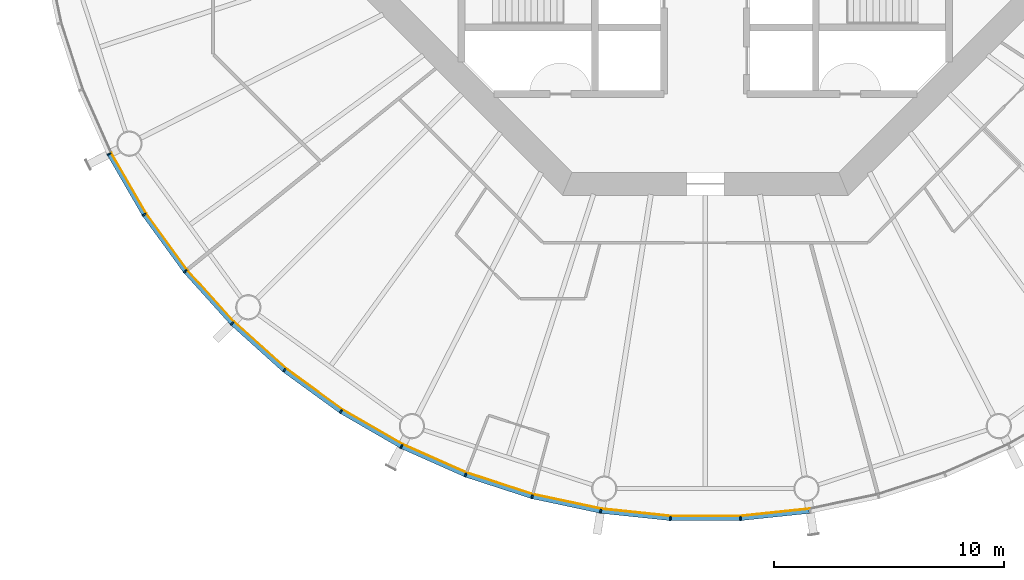
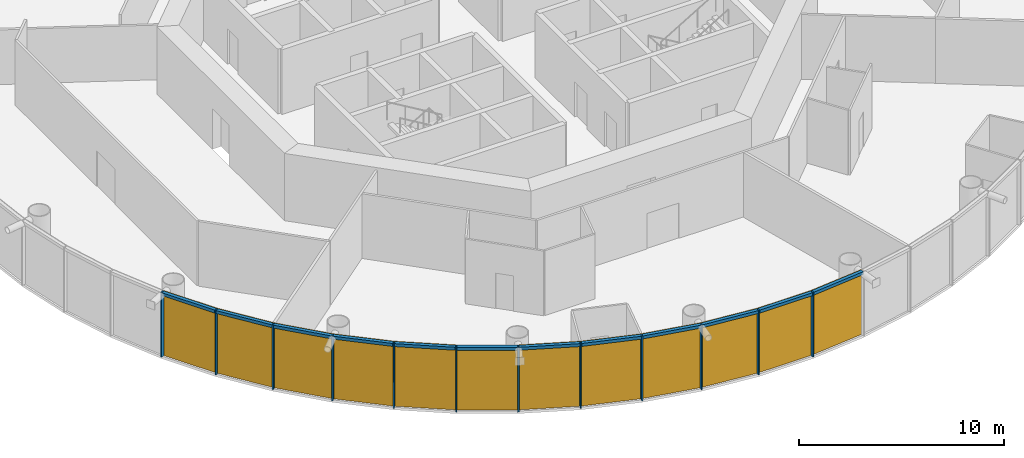
# One storey, part 11 of 17: 24 members, 4 curtain walls.
"""IFC4 building model written with IfcOpenShell, lengths in metres."""

from ifc_helpers import new_model, si_unit, direction, frame, origin, origin_2d, place, context, subcontext, project, spatial, polyline, rectangle, outline, extrude, material, layer, layer_set, material_profile, profile_set, type_object, element, aggregate, save


model = new_model("IFC4")

# Units and contexts
model_context = context("Model", 3, precision=1e-05, world=origin(), true_north=direction((0.0, 1.0)))
body_context = subcontext(model_context, "Body", "Model", "MODEL_VIEW")
ifc_project = project(units=[si_unit("LENGTHUNIT", "METRE"), si_unit("AREAUNIT", "SQUARE_METRE"), si_unit("VOLUMEUNIT", "CUBIC_METRE"), si_unit("PLANEANGLEUNIT", "RADIAN"), si_unit("MASSUNIT", "GRAM", prefix="KILO")], contexts=[model_context])

# Member
ifc_material_1 = material(Name="Anodised aluminium", Category="aluminium")
ifc_material_profile_1 = material_profile(ifc_material_1, rectangle(XDim=0.06494140625, YDim=0.18505859375, at=origin_2d()), Name="Mullion 65 x 185 mm anodised aluminium")
ifc_profile_set_1 = profile_set([ifc_material_profile_1], Name="Anodised aluminium")
member_type_1 = type_object("IfcMemberType", Name="Mullion 65 x 185 mm anodised aluminium", PredefinedType="MULLION", material=ifc_profile_set_1)
site_placement = place(None, origin())
building_placement = place(site_placement, origin())
storey_placement = place(building_placement, frame((0.0, 0.0, 176.0)))
member_1_placement = place(storey_placement, frame((64.078369140625, 66.792236328125, 0.0), z_axis=(0.0, 0.0, 1.0), x_axis=(0.45399049974, -0.891006524188, 0.0)))
member_1 = element("IfcMember", 1, at=member_1_placement, type_object=member_type_1, Name="MULLION L40-33", PredefinedType="MULLION", context=body_context, shape_type="SweptSolid", body=[
    extrude(rectangle(XDim=0.06494140625, YDim=0.18505859375, at=origin_2d()), origin(), (0.0, 0.0, 1.0), 3.85009765625),
])

member_2_placement = place(storey_placement, frame((65.60107421875, 64.155029296875, 0.0), z_axis=(0.0, 0.0, 1.0), x_axis=(0.544639035015, -0.838670567945, 0.0)))
member_2 = element("IfcMember", 2, at=member_2_placement, type_object=member_type_1, Name="MULLION L40-34", PredefinedType="MULLION", context=body_context, shape_type="SweptSolid", body=[
    extrude(rectangle(XDim=0.06494140625, YDim=0.18505859375, at=origin_2d()), origin(), (0.0, 0.0, 1.0), 3.85009765625),
])

member_3_placement = place(storey_placement, frame((67.390869140625, 61.69140625, 0.0), z_axis=(0.0, 0.0, 1.0), x_axis=(0.62932039105, -0.777145961457, 0.0)))
member_3 = element("IfcMember", 3, at=member_3_placement, type_object=member_type_1, Name="MULLION L40-35", PredefinedType="MULLION", context=body_context, shape_type="SweptSolid", body=[
    extrude(rectangle(XDim=0.06494140625, YDim=0.18505859375, at=origin_2d()), origin(), (0.0, 0.0, 1.0), 3.85009765625),
])

member_4_placement = place(storey_placement, frame((69.428466796875, 59.428466796875, 0.0), z_axis=(0.0, 0.0, 1.0), x_axis=(0.707106781187, -0.707106781187, 0.0)))
member_4 = element("IfcMember", 4, at=member_4_placement, type_object=member_type_1, Name="MULLION L40-36", PredefinedType="MULLION", context=body_context, shape_type="SweptSolid", body=[
    extrude(rectangle(XDim=0.06494140625, YDim=0.18505859375, at=origin_2d()), origin(), (0.0, 0.0, 1.0), 3.85009765625),
])

member_5_placement = place(storey_placement, frame((71.69140625, 57.390869140625, 0.0), z_axis=(0.0, 0.0, 1.0), x_axis=(0.777145961457, -0.62932039105, 0.0)))
member_5 = element("IfcMember", 5, at=member_5_placement, type_object=member_type_1, Name="MULLION L40-37", PredefinedType="MULLION", context=body_context, shape_type="SweptSolid", body=[
    extrude(rectangle(XDim=0.06494140625, YDim=0.18505859375, at=origin_2d()), origin(), (0.0, 0.0, 1.0), 3.85009765625),
])

member_6_placement = place(storey_placement, frame((74.155029296875, 55.60107421875, 0.0), z_axis=(0.0, 0.0, 1.0), x_axis=(0.838670567945, -0.544639035015, 0.0)))
member_6 = element("IfcMember", 6, at=member_6_placement, type_object=member_type_1, Name="MULLION L40-38", PredefinedType="MULLION", context=body_context, shape_type="SweptSolid", body=[
    extrude(rectangle(XDim=0.06494140625, YDim=0.18505859375, at=origin_2d()), origin(), (0.0, 0.0, 1.0), 3.85009765625),
])

member_7_placement = place(storey_placement, frame((76.792236328125, 54.078369140625, 0.0), z_axis=(0.0, 0.0, 1.0), x_axis=(0.891006524188, -0.45399049974, 0.0)))
member_7 = element("IfcMember", 7, at=member_7_placement, type_object=member_type_1, Name="MULLION L40-39", PredefinedType="MULLION", context=body_context, shape_type="SweptSolid", body=[
    extrude(rectangle(XDim=0.06494140625, YDim=0.18505859375, at=origin_2d()), origin(), (0.0, 0.0, 1.0), 3.85009765625),
])

member_8_placement = place(storey_placement, frame((79.57421875, 52.83984375, 0.0), z_axis=(0.0, 0.0, 1.0), x_axis=(0.933580426497, -0.358367949545, 0.0)))
member_8 = element("IfcMember", 8, at=member_8_placement, type_object=member_type_1, Name="MULLION L40-40", PredefinedType="MULLION", context=body_context, shape_type="SweptSolid", body=[
    extrude(rectangle(XDim=0.06494140625, YDim=0.18505859375, at=origin_2d()), origin(), (0.0, 0.0, 1.0), 3.85009765625),
])

member_9_placement = place(storey_placement, frame((82.47021484375, 51.898681640625, 0.0), z_axis=(0.0, 0.0, 1.0), x_axis=(0.965925826289, -0.258819045103, 0.0)))
member_9 = element("IfcMember", 9, at=member_9_placement, type_object=member_type_1, Name="MULLION L40-41", PredefinedType="MULLION", context=body_context, shape_type="SweptSolid", body=[
    extrude(rectangle(XDim=0.06494140625, YDim=0.18505859375, at=origin_2d()), origin(), (0.0, 0.0, 1.0), 3.85009765625),
])

member_10_placement = place(storey_placement, frame((85.448974609375, 51.265625, 0.0), z_axis=(0.0, 0.0, 1.0), x_axis=(0.987688340595, -0.15643446504, 0.0)))
member_10 = element("IfcMember", 10, at=member_10_placement, type_object=member_type_1, Name="MULLION L40-42", PredefinedType="MULLION", context=body_context, shape_type="SweptSolid", body=[
    extrude(rectangle(XDim=0.06494140625, YDim=0.18505859375, at=origin_2d()), origin(), (0.0, 0.0, 1.0), 3.85009765625),
])

member_11_placement = place(storey_placement, frame((88.477294921875, 50.947265625, 0.0), z_axis=(0.0, 0.0, 1.0), x_axis=(0.998629534755, -0.052335956243, 0.0)))
member_11 = element("IfcMember", 11, at=member_11_placement, type_object=member_type_1, Name="MULLION L40-43", PredefinedType="MULLION", context=body_context, shape_type="SweptSolid", body=[
    extrude(rectangle(XDim=0.06494140625, YDim=0.18505859375, at=origin_2d()), origin(), (0.0, 0.0, 1.0), 3.85009765625),
])

member_12_placement = place(storey_placement, frame((91.522705078125, 50.947265625, 0.0), z_axis=(0.0, 0.0, 1.0), x_axis=(0.998629534755, 0.052335956243, 0.0)))
member_12 = element("IfcMember", 12, at=member_12_placement, type_object=member_type_1, Name="MULLION L40-44", PredefinedType="MULLION", context=body_context, shape_type="SweptSolid", body=[
    extrude(rectangle(XDim=0.06494140625, YDim=0.18505859375, at=origin_2d()), origin(), (0.0, 0.0, 1.0), 3.85009765625),
])

ifc_material_2 = material(Name="Anodised aluminium", Category="aluminium")
ifc_material_profile_2 = material_profile(ifc_material_2, rectangle(XDim=0.18505859375, YDim=0.175048828125, at=origin_2d()), Name="Transom 175 x 185 mm anodised aluminium")
ifc_profile_set_2 = profile_set([ifc_material_profile_2], Name="Anodised aluminium")
member_type_2 = type_object("IfcMemberType", Name="Transom 175 x 185 mm anodised aluminium", PredefinedType="USERDEFINED", material=ifc_profile_set_2)
member_13_placement = place(storey_placement, frame((64.096923828125, 66.759765625, 3.762451171875), z_axis=(0.500028367561, -0.866009025146, 0.0), x_axis=(0.866009025146, 0.500028367561, 0.0)))
member_13 = element("IfcMember", 13, at=member_13_placement, type_object=member_type_2, Name="TRANSOM L40-33", ObjectType="TRANSOM", PredefinedType="USERDEFINED", context=body_context, shape_type="SweptSolid", body=[
    extrude(rectangle(XDim=0.18505859375, YDim=0.175048828125, at=origin_2d()), origin(), (0.0, 0.0, 1.0), 2.970458984375),
])

member_14_placement = place(storey_placement, frame((65.622802734375, 64.124755859375, 3.762451171875), z_axis=(0.587819781808, -0.808991906087, 0.0), x_axis=(0.808991906087, 0.587819781808, 0.0)))
member_14 = element("IfcMember", 14, at=member_14_placement, type_object=member_type_2, Name="TRANSOM L40-34", ObjectType="TRANSOM", PredefinedType="USERDEFINED", context=body_context, shape_type="SweptSolid", body=[
    extrude(rectangle(XDim=0.18505859375, YDim=0.175048828125, at=origin_2d()), origin(), (0.0, 0.0, 1.0), 2.970458984375),
])

member_15_placement = place(storey_placement, frame((67.415771484375, 61.66357421875, 3.762451171875), z_axis=(0.669110027395, -0.743163354343, 0.0), x_axis=(0.743163354343, 0.669110027395, 0.0)))
member_15 = element("IfcMember", 15, at=member_15_placement, type_object=member_type_2, Name="TRANSOM L40-35", ObjectType="TRANSOM", PredefinedType="USERDEFINED", context=body_context, shape_type="SweptSolid", body=[
    extrude(rectangle(XDim=0.18505859375, YDim=0.175048828125, at=origin_2d()), origin(), (0.0, 0.0, 1.0), 2.970458984375),
])

member_16_placement = place(storey_placement, frame((69.4560546875, 59.4033203125, 3.762451171875), z_axis=(0.743163354343, -0.669110027395, 0.0), x_axis=(0.669110027395, 0.743163354343, 0.0)))
member_16 = element("IfcMember", 16, at=member_16_placement, type_object=member_type_2, Name="TRANSOM L40-36", ObjectType="TRANSOM", PredefinedType="USERDEFINED", context=body_context, shape_type="SweptSolid", body=[
    extrude(rectangle(XDim=0.18505859375, YDim=0.175048828125, at=origin_2d()), origin(), (0.0, 0.0, 1.0), 2.970458984375),
])

member_17_placement = place(storey_placement, frame((71.7216796875, 57.368896484375, 3.762451171875), z_axis=(0.808991906087, -0.587819781808, 0.0), x_axis=(0.587819781808, 0.808991906087, 0.0)))
member_17 = element("IfcMember", 17, at=member_17_placement, type_object=member_type_2, Name="TRANSOM L40-37", ObjectType="TRANSOM", PredefinedType="USERDEFINED", context=body_context, shape_type="SweptSolid", body=[
    extrude(rectangle(XDim=0.18505859375, YDim=0.175048828125, at=origin_2d()), origin(), (0.0, 0.0, 1.0), 2.970458984375),
])

member_18_placement = place(storey_placement, frame((74.187255859375, 55.582275390625, 3.762451171875), z_axis=(0.866009025146, -0.500028367561, 0.0), x_axis=(0.500028367561, 0.866009025146, 0.0)))
member_18 = element("IfcMember", 18, at=member_18_placement, type_object=member_type_2, Name="TRANSOM L40-38", ObjectType="TRANSOM", PredefinedType="USERDEFINED", context=body_context, shape_type="SweptSolid", body=[
    extrude(rectangle(XDim=0.18505859375, YDim=0.175048828125, at=origin_2d()), origin(), (0.0, 0.0, 1.0), 2.970458984375),
])

member_19_placement = place(storey_placement, frame((76.826416015625, 54.06298828125, 3.762451171875), z_axis=(0.913567348806, -0.406687471156, 0.0), x_axis=(0.406687471156, 0.913567348806, 0.0)))
member_19 = element("IfcMember", 19, at=member_19_placement, type_object=member_type_2, Name="TRANSOM L40-39", ObjectType="TRANSOM", PredefinedType="USERDEFINED", context=body_context, shape_type="SweptSolid", body=[
    extrude(rectangle(XDim=0.18505859375, YDim=0.175048828125, at=origin_2d()), origin(), (0.0, 0.0, 1.0), 2.970458984375),
])

member_20_placement = place(storey_placement, frame((79.609619140625, 52.828125, 3.762451171875), z_axis=(0.951055809184, -0.30901917063, 0.0), x_axis=(0.30901917063, 0.951055809184, 0.0)))
member_20 = element("IfcMember", 20, at=member_20_placement, type_object=member_type_2, Name="TRANSOM L40-40", ObjectType="TRANSOM", PredefinedType="USERDEFINED", context=body_context, shape_type="SweptSolid", body=[
    extrude(rectangle(XDim=0.18505859375, YDim=0.175048828125, at=origin_2d()), origin(), (0.0, 0.0, 1.0), 2.970703125),
])

member_21_placement = place(storey_placement, frame((82.5068359375, 51.890869140625, 3.762451171875), z_axis=(0.97815822425, -0.207861704825, 0.0), x_axis=(0.207861704825, 0.97815822425, 0.0)))
member_21 = element("IfcMember", 21, at=member_21_placement, type_object=member_type_2, Name="TRANSOM L40-41", ObjectType="TRANSOM", PredefinedType="USERDEFINED", context=body_context, shape_type="SweptSolid", body=[
    extrude(rectangle(XDim=0.18505859375, YDim=0.175048828125, at=origin_2d()), origin(), (0.0, 0.0, 1.0), 2.970458984375),
])

member_22_placement = place(storey_placement, frame((85.486083984375, 51.26171875, 3.762451171875), z_axis=(0.994519855197, -0.104547872381, 0.0), x_axis=(0.104547872381, 0.994519855197, 0.0)))
member_22 = element("IfcMember", 22, at=member_22_placement, type_object=member_type_2, Name="TRANSOM L40-42", ObjectType="TRANSOM", PredefinedType="USERDEFINED", context=body_context, shape_type="SweptSolid", body=[
    extrude(rectangle(XDim=0.18505859375, YDim=0.175048828125, at=origin_2d()), origin(), (0.0, 0.0, 1.0), 2.970458984375),
])

member_23_placement = place(storey_placement, frame((88.5146484375, 50.947265625, 3.762451171875), z_axis=(1.0, 0.0, 0.0), x_axis=(0.0, 1.0, 0.0)))
member_23 = element("IfcMember", 23, at=member_23_placement, type_object=member_type_2, Name="TRANSOM L40-43", ObjectType="TRANSOM", PredefinedType="USERDEFINED", context=body_context, shape_type="SweptSolid", body=[
    extrude(rectangle(XDim=0.18505859375, YDim=0.175048828125, at=origin_2d()), origin(), (0.0, 0.0, 1.0), 2.970703125),
])

member_24_placement = place(storey_placement, frame((91.559814453125, 50.951171875, 3.762451171875), z_axis=(0.994519855197, 0.104547872381, 0.0), x_axis=(-0.104547872381, 0.994519855197, 0.0)))
member_24 = element("IfcMember", 24, at=member_24_placement, type_object=member_type_2, Name="TRANSOM L40-44", ObjectType="TRANSOM", PredefinedType="USERDEFINED", context=body_context, shape_type="SweptSolid", body=[
    extrude(rectangle(XDim=0.18505859375, YDim=0.175048828125, at=origin_2d()), origin(), (0.0, 0.0, 1.0), 2.970458984375),
])

# Site, building, storey
site = spatial("IfcSite", under=ifc_project, at=site_placement, CompositionType="ELEMENT")
building = spatial("IfcBuilding", under=site, at=building_placement, Name="Entoto Ring Tower", CompositionType="ELEMENT")
storey = spatial("IfcBuildingStorey", under=building, at=storey_placement, Name="L40", CompositionType="ELEMENT", Elevation=176.0)

# Curtain wall
ifc_material_3 = material(Name="Clear low-iron glass", Category="glass")
ifc_layer = layer(ifc_material_3, 0.033935546875)
ifc_layer_set = layer_set([ifc_layer], Name="Clear low-iron glass")
curtain_wall_type = type_object("IfcCurtainWallType", Name="Curtain wall system CW3 glazing 34 mm", PredefinedType="NOTDEFINED", material=ifc_layer_set)
curtain_wall_1_placement = place(storey_placement, origin())
curtain_wall_1 = element("IfcCurtainWall", 25, at=curtain_wall_1_placement, inside=storey, type_object=curtain_wall_type, Name="CW3 L40-12", PredefinedType="NOTDEFINED", context=body_context, shape_type="SweptSolid", body=[
    extrude(outline(polyline([(64.160888671875, 66.834228515625), (65.678466796875, 64.20556640625), (67.462646484375, 61.749755859375), (69.493896484375, 59.493896484375), (69.51806640625, 59.51806640625), (67.4892578125, 61.771240234375), (65.70703125, 64.22412109375), (64.191162109375, 66.849853515625), (64.160888671875, 66.834228515625)])), origin(), (0.0, 0.0, 1.0), 3.85009765625),
])

aggregate(curtain_wall_1, [member_1, member_2, member_3, member_13, member_14, member_15])

curtain_wall_2_placement = place(storey_placement, origin())
curtain_wall_2 = element("IfcCurtainWall", 26, at=curtain_wall_2_placement, inside=storey, type_object=curtain_wall_type, Name="CW3 L40-13", PredefinedType="NOTDEFINED", context=body_context, shape_type="SweptSolid", body=[
    extrude(outline(polyline([(69.493896484375, 59.493896484375), (71.749755859375, 57.462646484375), (74.20556640625, 55.678466796875), (76.834228515625, 54.160888671875), (76.849853515625, 54.191162109375), (74.22412109375, 55.70703125), (71.771240234375, 57.4892578125), (69.51806640625, 59.51806640625), (69.493896484375, 59.493896484375)])), origin(), (0.0, 0.0, 1.0), 3.85009765625),
])

aggregate(curtain_wall_2, [member_4, member_5, member_6, member_16, member_17, member_18])

curtain_wall_3_placement = place(storey_placement, origin())
curtain_wall_3 = element("IfcCurtainWall", 27, at=curtain_wall_3_placement, inside=storey, type_object=curtain_wall_type, Name="CW3 L40-14", PredefinedType="NOTDEFINED", context=body_context, shape_type="SweptSolid", body=[
    extrude(outline(polyline([(76.834228515625, 54.160888671875), (79.607421875, 52.92626953125), (82.494140625, 51.988037109375), (85.46337890625, 51.35693359375), (85.46875, 51.390625), (82.503173828125, 52.02099609375), (79.61962890625, 52.9580078125), (76.849853515625, 54.191162109375), (76.834228515625, 54.160888671875)])), origin(), (0.0, 0.0, 1.0), 3.85009765625),
])

aggregate(curtain_wall_3, [member_7, member_8, member_9, member_19, member_20, member_21])

curtain_wall_4_placement = place(storey_placement, origin())
curtain_wall_4 = element("IfcCurtainWall", 28, at=curtain_wall_4_placement, inside=storey, type_object=curtain_wall_type, Name="CW3 L40-15", PredefinedType="NOTDEFINED", context=body_context, shape_type="SweptSolid", body=[
    extrude(outline(polyline([(85.46337890625, 51.35693359375), (88.482177734375, 51.039794921875), (91.517822265625, 51.039794921875), (94.53662109375, 51.35693359375), (94.53125, 51.390625), (91.515869140625, 51.07373046875), (88.484130859375, 51.07373046875), (85.46875, 51.390625), (85.46337890625, 51.35693359375)])), origin(), (0.0, 0.0, 1.0), 3.85009765625),
])

aggregate(curtain_wall_4, [member_10, member_11, member_12, member_22, member_23, member_24])

save(model, "model.ifc")
